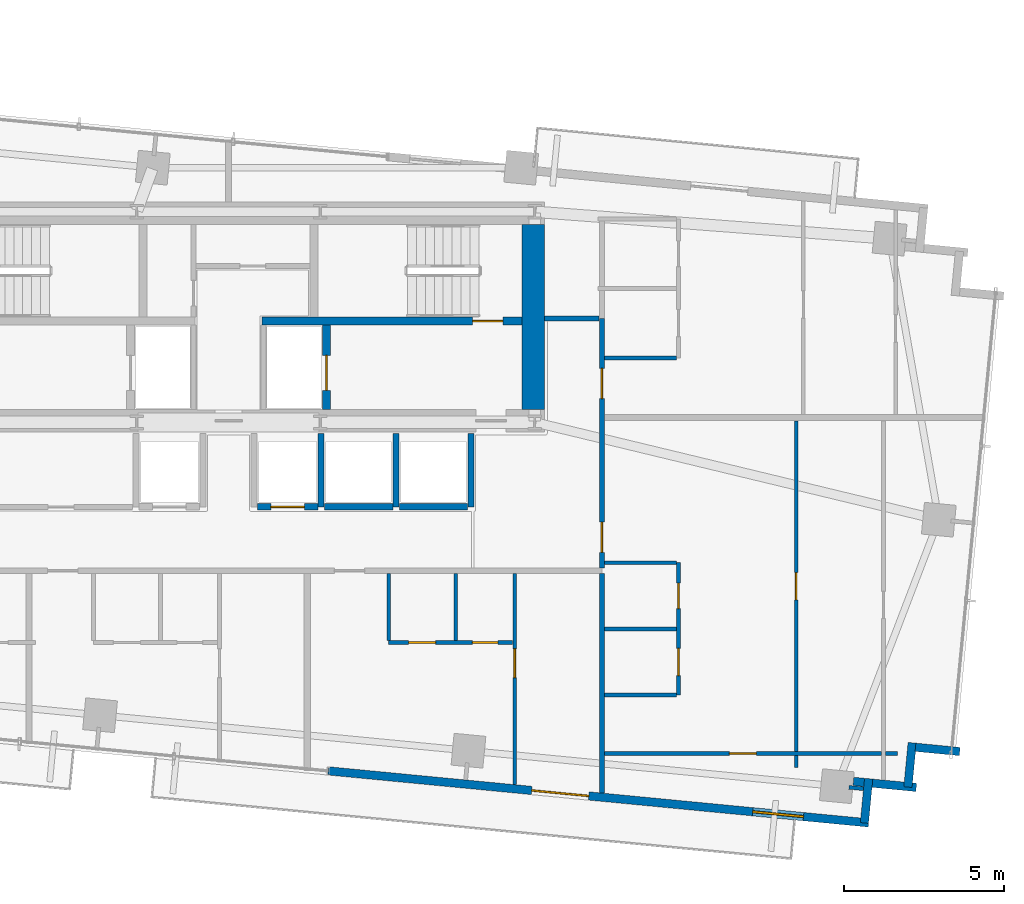
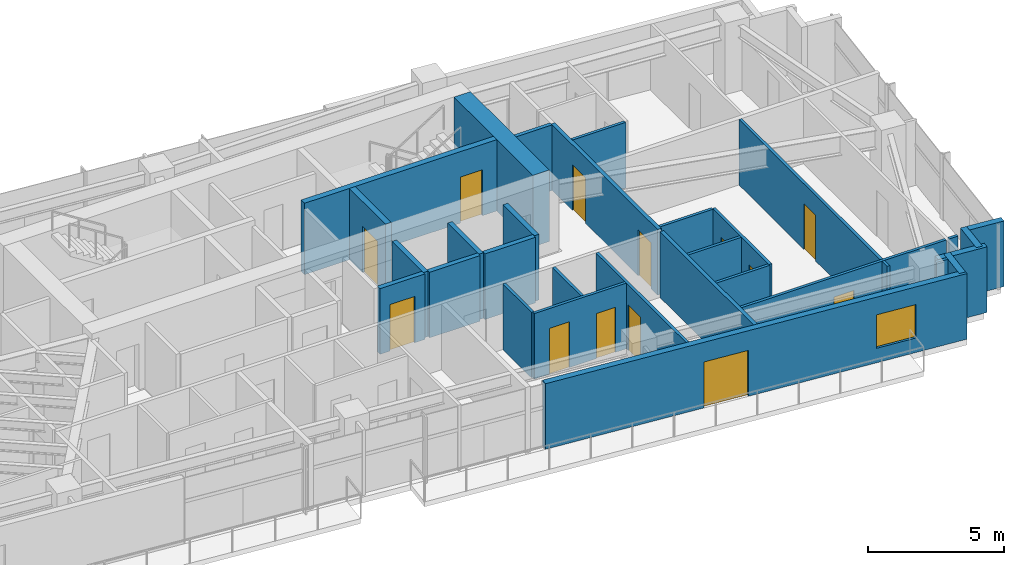
# One storey, part 16 of 19: 31 walls, 13 doors, 1 window, 14 openings.
"""IFC4 building model written with IfcOpenShell, lengths in metres."""

from ifc_helpers import new_model, si_unit, direction, frame, frame_2d, origin, place, context, subcontext, project, spatial, rectangle, extrude, source, transform, mapped, material, layer, layer_set, type_object, type_shapes, element, fill, save


model = new_model("IFC4")

# Units and contexts
model_context = context("Model", 3, precision=1e-05, world=origin(), true_north=direction((0.0, 1.0)))
body_context = subcontext(model_context, "Body", "Model", "MODEL_VIEW")
ifc_project = project(units=[si_unit("LENGTHUNIT", "METRE"), si_unit("AREAUNIT", "SQUARE_METRE"), si_unit("VOLUMEUNIT", "CUBIC_METRE"), si_unit("PLANEANGLEUNIT", "RADIAN"), si_unit("MASSUNIT", "GRAM", prefix="KILO")], contexts=[model_context])

# Site, building, storey
site_placement = place(None, origin())
site = spatial("IfcSite", under=ifc_project, at=site_placement, CompositionType="ELEMENT")
building_placement = place(site_placement, origin())
building = spatial("IfcBuilding", under=site, at=building_placement, Name="Astriad Promenade Condominiums", CompositionType="ELEMENT")
storey_placement = place(building_placement, frame((0.0, 0.0, 143.800048828125)))
storey = spatial("IfcBuildingStorey", under=building, at=storey_placement, Name="L41", CompositionType="ELEMENT", Elevation=143.800048828125)

# Wall
ifc_material_1 = material(Name="Concrete C60/75", Category="concrete")
ifc_layer_1 = layer(ifc_material_1, 0.699951171875)
ifc_layer_set_1 = layer_set([ifc_layer_1], Name="Concrete C60/75")
wall_type_1 = type_object("IfcWallType", Name="CW-SHEAR-700", PredefinedType="SHEAR", material=ifc_layer_set_1)
wall_1_placement = place(storey_placement, frame((45.550048828125, 17.802001953125, 0.0), z_axis=(0.0, 0.0, 1.0), x_axis=(0.0, 1.0, 0.0)))
element("IfcWall", 1, at=wall_1_placement, inside=storey, type_object=wall_type_1, Name="CW-CORE-E-L41", PredefinedType="SHEAR", context=body_context, shape_type="SweptSolid", body=[
    extrude(rectangle(XDim=5.7958984375, YDim=0.699951171875, at=frame_2d((2.89794921875, 0.0))), origin(), (0.0, 0.0, 1.0), 3.199951171875),
])

# Wall, opening, door
ifc_material_2 = material(Name="Concrete C50/60", Category="concrete")
ifc_layer_2 = layer(ifc_material_2, 0.25)
ifc_layer_set_2 = layer_set([ifc_layer_2], Name="Concrete C50/60")
wall_type_2 = type_object("IfcWallType", Name="WALL-CORE-INT-250", PredefinedType="SOLIDWALL", material=ifc_layer_set_2)
wall_2_placement = place(storey_placement, frame((37.050048828125, 20.574951171875, 0.0), z_axis=(0.0, 0.0, 1.0), x_axis=(1.0, 0.0, 0.0)))
wall_2 = element("IfcWall", 2, at=wall_2_placement, inside=storey, type_object=wall_type_2, Name="CW-INT-H2-L41", PredefinedType="SOLIDWALL", context=body_context, shape_type="SweptSolid", body=[
    extrude(rectangle(XDim=8.14794921875, YDim=0.25, at=frame_2d((4.073974609375, 0.0))), origin(), (0.0, 0.0, 1.0), 3.199951171875),
])
opening_1_placement = place(wall_2_placement, frame((6.60009765625, 0.0, 0.0)))
opening_1 = element("IfcOpeningElement", 3, at=opening_1_placement, cuts=wall_2, Name="Opening FD90-ST-095", PredefinedType="OPENING", context=body_context, shape_type="SweptSolid", body=[
    extrude(rectangle(XDim=0.949951171875, YDim=2.06005859375, at=frame_2d((0.47509765625, 1.030029296875))), frame((0.0, 0.135009765625, 0.0), z_axis=(0.0, -1.0, 0.0), x_axis=(1.0, 0.0, 0.0)), (0.0, 0.0, 1.0), 0.27001953125),
])
ifc_material_3 = material(Name="Fire-Rated Hollow Metal Stair Door")
door_type_1 = type_object("IfcDoorType", Name="FD90-ST-095", OperationType="NOTDEFINED", PredefinedType="DOOR", material=ifc_material_3)
shared_shape_1 = source(origin(), body_context, "Body", "SweptSolid", [
    extrude(rectangle(XDim=0.949951171875, YDim=2.06005859375, at=frame_2d((0.47509765625, 1.030029296875))), frame((0.0, 0.02490234375, 0.0), z_axis=(0.0, -1.0, 0.0), x_axis=(1.0, 0.0, 0.0)), (0.0, 0.0, 1.0), 0.050048828125),
])
type_shapes(door_type_1, [shared_shape_1])
door_1_placement = place(opening_1_placement, origin())
door_1 = element("IfcDoor", 4, at=door_1_placement, inside=storey, type_object=door_type_1, Name="D-ST2-L41", OperationType="SINGLE_SWING_LEFT", OverallHeight=2.06005859375, OverallWidth=0.949951171875, PredefinedType="DOOR", context=body_context, shape_type="MappedRepresentation", body=[
    mapped(shared_shape_1, transform((0.0, 0.0, 0.0), scale=1.0)),
])
fill(opening_1, door_1)

wall_3_placement = place(storey_placement, frame((39.074951171875, 17.802001953125, 0.0), z_axis=(0.0, 0.0, 1.0), x_axis=(0.0, 1.0, 0.0)))
wall_3 = element("IfcWall", 5, at=wall_3_placement, inside=storey, type_object=wall_type_2, Name="CW-FFL2-E-L41", PredefinedType="SOLIDWALL", context=body_context, shape_type="SweptSolid", body=[
    extrude(rectangle(XDim=2.64599609375, YDim=0.25, at=frame_2d((1.322998046875, 0.0))), origin(), (0.0, 0.0, 1.0), 3.199951171875),
])
opening_2_placement = place(wall_3_placement, frame((0.597900390625, 0.0, 0.0)))
opening_2 = element("IfcOpeningElement", 6, at=opening_2_placement, cuts=wall_3, Name="Opening LD-FFL-1122", PredefinedType="OPENING", context=body_context, shape_type="SweptSolid", body=[
    extrude(rectangle(XDim=1.10009765625, YDim=2.080078125, at=frame_2d((0.550048828125, 1.0400390625))), frame((0.0, 0.135009765625, 0.0), z_axis=(0.0, -1.0, 0.0), x_axis=(1.0, 0.0, 0.0)), (0.0, 0.0, 1.0), 0.27001953125),
])
ifc_material_4 = material(Name="Brushed Stainless Steel Fire Elevator Landing Door", Category="steel")
door_type_2 = type_object("IfcDoorType", Name="LD-FFL-1122", OperationType="NOTDEFINED", PredefinedType="DOOR", material=ifc_material_4)
shared_shape_2 = source(origin(), body_context, "Body", "SweptSolid", [
    extrude(rectangle(XDim=1.10009765625, YDim=2.080078125, at=frame_2d((0.550048828125, 1.0400390625))), frame((0.0, 0.02490234375, 0.0), z_axis=(0.0, -1.0, 0.0), x_axis=(1.0, 0.0, 0.0)), (0.0, 0.0, 1.0), 0.050048828125),
])
type_shapes(door_type_2, [shared_shape_2])
door_2_placement = place(opening_2_placement, origin())
door_2 = element("IfcDoor", 7, at=door_2_placement, inside=storey, type_object=door_type_2, Name="Elevator Landing Door FFL-2 (L41)", OperationType="SLIDING_TO_RIGHT", OverallHeight=2.080078125, OverallWidth=1.10009765625, PredefinedType="DOOR", context=body_context, shape_type="MappedRepresentation", body=[
    mapped(shared_shape_2, transform((0.0, 0.0, 0.0), scale=1.0)),
])
fill(opening_2, door_2)

# Wall
ifc_material_5 = material(Name="Fire-Rated Gypsum Partition")
ifc_layer_3 = layer(ifc_material_5, 0.159912109375)
ifc_layer_set_3 = layer_set([ifc_layer_3], Name="Fire-Rated Gypsum Partition")
wall_type_3 = type_object("IfcWallType", Name="WALL-CORR-160", PredefinedType="PARTITIONING", material=ifc_layer_set_3)
wall_4_placement = place(storey_placement, frame((47.699951171875, 5.783203125, 0.0), z_axis=(0.0, 0.0, 1.0), x_axis=(0.0, 1.0, 0.0)))
element("IfcWall", 8, at=wall_4_placement, inside=storey, type_object=wall_type_3, Name="PT-COR-E-L41", PredefinedType="PARTITIONING", context=body_context, shape_type="SweptSolid", body=[
    extrude(rectangle(XDim=6.884765625, YDim=0.159912109375, at=frame_2d((3.4423828125, 0.0))), origin(), (0.0, 0.0, 1.0), 2.93994140625),
])

# Wall, openings, doors
wall_5_placement = place(storey_placement, frame((47.699951171875, 12.83203125, 0.0), z_axis=(0.0, 0.0, 1.0), x_axis=(0.0, 1.0, 0.0)))
wall_5 = element("IfcWall", 9, at=wall_5_placement, inside=storey, type_object=wall_type_3, Name="PT-COR-E-L41-S2", PredefinedType="PARTITIONING", context=body_context, shape_type="SweptSolid", body=[
    extrude(rectangle(XDim=7.81787109375, YDim=0.159912109375, at=frame_2d((3.908935546875, 0.0))), origin(), (0.0, 0.0, 1.0), 2.93994140625),
])
opening_3_placement = place(wall_5_placement, frame((0.492919921875, 0.0, 0.0)))
opening_3 = element("IfcOpeningElement", 10, at=opening_3_placement, cuts=wall_5, Name="Opening FD60-APT-095", PredefinedType="OPENING", context=body_context, shape_type="SweptSolid", body=[
    extrude(rectangle(XDim=0.949951171875, YDim=2.06005859375, at=frame_2d((0.47509765625, 1.030029296875))), frame((0.0, 0.08984375, 0.0), z_axis=(0.0, -1.0, 0.0), x_axis=(1.0, 0.0, 0.0)), (0.0, 0.0, 1.0), 0.179931640625),
])
opening_4_placement = place(wall_5_placement, frame((5.31298828125, 0.0, 0.0)))
opening_4 = element("IfcOpeningElement", 11, at=opening_4_placement, cuts=wall_5, Name="Opening FD60-APT-095", PredefinedType="OPENING", context=body_context, shape_type="SweptSolid", body=[
    extrude(rectangle(XDim=0.949951171875, YDim=2.06005859375, at=frame_2d((0.47509765625, 1.030029296875))), frame((0.0, 0.08984375, 0.0), z_axis=(0.0, -1.0, 0.0), x_axis=(1.0, 0.0, 0.0)), (0.0, 0.0, 1.0), 0.179931640625),
])
ifc_material_6 = material(Name="Solid-Core Acoustic Timber Residence Entry Door", Category="wood")
door_type_3 = type_object("IfcDoorType", Name="FD60-APT-095", OperationType="NOTDEFINED", PredefinedType="DOOR", material=ifc_material_6)
shared_shape_3 = source(origin(), body_context, "Body", "SweptSolid", [
    extrude(rectangle(XDim=0.949951171875, YDim=2.06005859375, at=frame_2d((0.47509765625, 1.030029296875))), frame((0.0, 0.02490234375, 0.0), z_axis=(0.0, -1.0, 0.0), x_axis=(1.0, 0.0, 0.0)), (0.0, 0.0, 1.0), 0.050048828125),
])
type_shapes(door_type_3, [shared_shape_3])
door_3_placement = place(opening_3_placement, origin())
door_3 = element("IfcDoor", 12, at=door_3_placement, inside=storey, type_object=door_type_3, Name="D-ENT-L41-E1", OperationType="SINGLE_SWING_LEFT", OverallHeight=2.06005859375, OverallWidth=0.949951171875, PredefinedType="DOOR", context=body_context, shape_type="MappedRepresentation", body=[
    mapped(shared_shape_3, transform((0.0, 0.0, 0.0), scale=1.0)),
])
fill(opening_3, door_3)
door_4_placement = place(opening_4_placement, origin())
door_4 = element("IfcDoor", 13, at=door_4_placement, inside=storey, type_object=door_type_3, Name="D-ENT-L41-E2", OperationType="SINGLE_SWING_LEFT", OverallHeight=2.06005859375, OverallWidth=0.949951171875, PredefinedType="DOOR", context=body_context, shape_type="MappedRepresentation", body=[
    mapped(shared_shape_3, transform((0.0, 0.0, 0.0), scale=1.0)),
])
fill(opening_4, door_4)

# Walls
wall_6_placement = place(storey_placement, frame((45.902099609375, 20.64990234375, 0.0), z_axis=(0.0, 0.0, 1.0), x_axis=(1.0, 0.0, 0.0)))
element("IfcWall", 14, at=wall_6_placement, inside=storey, type_object=wall_type_3, Name="PT-Z3E-N-L41", PredefinedType="PARTITIONING", context=body_context, shape_type="SweptSolid", body=[
    extrude(rectangle(XDim=1.7158203125, YDim=0.159912109375, at=frame_2d((0.85791015625, 0.0))), origin(), (0.0, 0.0, 1.0), 2.93994140625),
])
ifc_material_7 = material(Name="Precast concrete C50/60", Category="concrete")
ifc_layer_4 = layer(ifc_material_7, 0.260009765625)
ifc_layer_set_4 = layer_set([ifc_layer_4], Name="Precast concrete C50/60")
wall_type_4 = type_object("IfcWallType", Name="WALL-EXT-TWR-260", PredefinedType="STANDARD", material=ifc_layer_set_4)
for number, where, z_axis, x_axis, name in (
    (15, (58.918701171875, 7.081787109375, 0.0), (0.0, 0.0, 1.0), (-0.995389446633, 0.095915846097, 0.0), "W-SER-L41-14"),
    (16, (57.42822265625, 7.35595703125, 0.0), (0.0, 0.0, 1.0), (-0.095915846097, -0.995389446633, 0.0), "W-SER-L41-15"),
):
    element("IfcWall", number, at=place(storey_placement, frame(where, z_axis=z_axis, x_axis=x_axis)), inside=storey, type_object=wall_type_4, Name=name, PredefinedType="STANDARD", context=body_context, shape_type="SweptSolid", body=[
        extrude(rectangle(XDim=1.394775390625, YDim=0.260009765625, at=frame_2d((0.697265625, 0.0))), origin(), (0.0, 0.0, 1.0), 2.93994140625),
    ])
wall_7_placement = place(storey_placement, frame((57.5546875, 5.95751953125, 0.0), z_axis=(0.0, 0.0, 1.0), x_axis=(-0.995401789159, 0.095787672171, 0.0)))
element("IfcWall", 17, at=wall_7_placement, inside=storey, type_object=wall_type_4, Name="W-SER-L41-16", PredefinedType="STANDARD", context=body_context, shape_type="SweptSolid", body=[
    extrude(rectangle(XDim=1.977783203125, YDim=0.260009765625, at=frame_2d((0.98876953125, 0.0))), origin(), (0.0, 0.0, 1.0), 2.93994140625),
])
wall_8_placement = place(storey_placement, frame((56.064208984375, 6.231689453125, 0.0), z_axis=(0.0, 0.0, 1.0), x_axis=(-0.09589913835, -0.995391056452, 0.0)))
element("IfcWall", 18, at=wall_8_placement, inside=storey, type_object=wall_type_4, Name="W-SER-L41-17", PredefinedType="STANDARD", context=body_context, shape_type="SweptSolid", body=[
    extrude(rectangle(XDim=1.39501953125, YDim=0.260009765625, at=frame_2d((0.697509765625, 0.0))), origin(), (0.0, 0.0, 1.0), 2.93994140625),
])

# Wall, openings, door, window
wall_9_placement = place(storey_placement, frame((56.061279296875, 4.845458984375, 0.0), z_axis=(0.0, 0.0, 1.0), x_axis=(-0.995395976631, 0.095848055311, 0.0)))
wall_9 = element("IfcWall", 19, at=wall_9_placement, inside=storey, type_object=wall_type_4, Name="W-EXT-L41-S1", PredefinedType="STANDARD", context=body_context, shape_type="SweptSolid", body=[
    extrude(rectangle(XDim=17.010009765625, YDim=0.260009765625, at=frame_2d((8.5048828125, 0.0))), origin(), (0.0, 0.0, 1.0), 2.93994140625),
])
opening_5_placement = place(wall_9_placement, frame((8.81103515625, 0.0, 0.0)))
opening_5 = element("IfcOpeningElement", 20, at=opening_5_placement, cuts=wall_9, Name="Opening BD-1822-SLD", PredefinedType="OPENING", context=body_context, shape_type="SweptSolid", body=[
    extrude(rectangle(XDim=1.800048828125, YDim=2.06005859375, at=frame_2d((0.89990234375, 1.030029296875))), frame((0.0, 0.139892578125, 0.0), z_axis=(0.0, -1.0, 0.0), x_axis=(1.0, 0.0, 0.0)), (0.0, 0.0, 1.0), 0.280029296875),
])
opening_6_placement = place(wall_9_placement, frame((2.050048828125, 0.0, 0.64990234375)))
opening_6 = element("IfcOpeningElement", 21, at=opening_6_placement, cuts=wall_9, Name="Opening WIN-TWR-1620", PredefinedType="OPENING", context=body_context, shape_type="SweptSolid", body=[
    extrude(rectangle(XDim=1.60009765625, YDim=1.5, at=frame_2d((0.800048828125, 0.75))), frame((0.0, 0.139892578125, 0.0), z_axis=(0.0, -1.0, 0.0), x_axis=(1.0, 0.0, 0.0)), (0.0, 0.0, 1.0), 0.280029296875),
])
ifc_material_8 = material(Name="Thermally Broken Aluminium Sliding Balcony Door", Category="aluminium")
door_type_4 = type_object("IfcDoorType", Name="BD-1822-SLD", OperationType="NOTDEFINED", PredefinedType="DOOR", material=ifc_material_8)
shared_shape_4 = source(origin(), body_context, "Body", "SweptSolid", [
    extrude(rectangle(XDim=1.800048828125, YDim=2.06005859375, at=frame_2d((0.89990234375, 1.030029296875))), frame((0.0, 0.02490234375, 0.0), z_axis=(0.0, -1.0, 0.0), x_axis=(1.0, 0.0, 0.0)), (0.0, 0.0, 1.0), 0.050048828125),
])
type_shapes(door_type_4, [shared_shape_4])
door_5_placement = place(opening_5_placement, origin())
door_5 = element("IfcDoor", 22, at=door_5_placement, inside=storey, type_object=door_type_4, Name="BD-L41-SE", OperationType="SLIDING_TO_RIGHT", OverallHeight=2.06005859375, OverallWidth=1.800048828125, PredefinedType="DOOR", context=body_context, shape_type="MappedRepresentation", body=[
    mapped(shared_shape_4, transform((0.0, 0.0, 0.0), scale=1.0)),
])
fill(opening_5, door_5)
ifc_material_9 = material(Name="Dark Tinted Triple-Glazed Aluminium Window", Category="aluminium")
window_type = type_object("IfcWindowType", Name="WIN-TWR-1620", PartitioningType="SINGLE_PANEL", PredefinedType="WINDOW", material=ifc_material_9)
shared_shape_5 = source(origin(), body_context, "Body", "SweptSolid", [
    extrude(rectangle(XDim=1.60009765625, YDim=1.5, at=frame_2d((0.800048828125, 0.75))), frame((0.0, 0.030029296875, 0.0), z_axis=(0.0, -1.0, 0.0), x_axis=(1.0, 0.0, 0.0)), (0.0, 0.0, 1.0), 0.06005859375),
])
type_shapes(window_type, [shared_shape_5])
window_placement = place(opening_6_placement, origin())
window = element("IfcWindow", 23, at=window_placement, inside=storey, type_object=window_type, Name="WIN-L41-SE", OverallHeight=1.5, OverallWidth=1.60009765625, PartitioningType="SINGLE_PANEL", PredefinedType="WINDOW", context=body_context, shape_type="MappedRepresentation", body=[
    mapped(shared_shape_5, transform((0.0, 0.0, 0.0), scale=1.0)),
])
fill(opening_6, window)

# Wall, opening, door
ifc_material_10 = material(Name="Acoustic Metal-Stud Gypsum Partition")
ifc_layer_5 = layer(ifc_material_10, 0.1201171875)
ifc_layer_set_5 = layer_set([ifc_layer_5], Name="Acoustic Metal-Stud Gypsum Partition")
wall_type_5 = type_object("IfcWallType", Name="WALL-PART-120", PredefinedType="PARTITIONING", material=ifc_layer_set_5)
wall_10_placement = place(storey_placement, frame((44.969970703125, 6.046142578125, 0.0), z_axis=(0.0, 0.0, 1.0), x_axis=(0.0, 1.0, 0.0)))
wall_10 = element("IfcWall", 24, at=wall_10_placement, inside=storey, type_object=wall_type_5, Name="PT-L41-S3-BD1", PredefinedType="PARTITIONING", context=body_context, shape_type="SweptSolid", body=[
    extrude(rectangle(XDim=6.621826171875, YDim=0.1201171875, at=frame_2d((3.31103515625, 0.0))), origin(), (0.0, 0.0, 1.0), 2.93994140625),
])
opening_7_placement = place(wall_10_placement, frame((3.35400390625, 0.0, 0.0)))
opening_7 = element("IfcOpeningElement", 25, at=opening_7_placement, cuts=wall_10, Name="Opening D-INT-090", PredefinedType="OPENING", context=body_context, shape_type="SweptSolid", body=[
    extrude(rectangle(XDim=0.89990234375, YDim=2.050048828125, at=frame_2d((0.449951171875, 1.02490234375))), frame((0.0, 0.070068359375, 0.0), z_axis=(0.0, -1.0, 0.0), x_axis=(1.0, 0.0, 0.0)), (0.0, 0.0, 1.0), 0.14013671875),
])
ifc_material_11 = material(Name="Painted Solid-Core Timber Bedroom Door", Category="wood")
door_type_5 = type_object("IfcDoorType", Name="D-INT-090", OperationType="NOTDEFINED", PredefinedType="DOOR", material=ifc_material_11)
shared_shape_6 = source(origin(), body_context, "Body", "SweptSolid", [
    extrude(rectangle(XDim=0.89990234375, YDim=2.050048828125, at=frame_2d((0.449951171875, 1.02490234375))), frame((0.0, 0.02490234375, 0.0), z_axis=(0.0, -1.0, 0.0), x_axis=(1.0, 0.0, 0.0)), (0.0, 0.0, 1.0), 0.050048828125),
])
type_shapes(door_type_5, [shared_shape_6])
door_6_placement = place(opening_7_placement, origin())
door_6 = element("IfcDoor", 26, at=door_6_placement, inside=storey, type_object=door_type_5, Name="D-BD1-L41-S3", OperationType="SINGLE_SWING_LEFT", OverallHeight=2.050048828125, OverallWidth=0.89990234375, PredefinedType="DOOR", context=body_context, shape_type="MappedRepresentation", body=[
    mapped(shared_shape_6, transform((0.0, 0.0, 0.0), scale=1.0)),
])
fill(opening_7, door_6)

# Wall, openings, doors
wall_11_placement = place(storey_placement, frame((41.02001953125, 10.5, 0.0), z_axis=(0.0, 0.0, 1.0), x_axis=(1.0, 0.0, 0.0)))
wall_11 = element("IfcWall", 27, at=wall_11_placement, inside=storey, type_object=wall_type_5, Name="PT-L41-S3-PS", PredefinedType="PARTITIONING", context=body_context, shape_type="SweptSolid", body=[
    extrude(rectangle(XDim=3.887939453125, YDim=0.1201171875, at=frame_2d((1.94384765625, 0.0))), origin(), (0.0, 0.0, 1.0), 2.93994140625),
])
opening_8_placement = place(wall_11_placement, frame((0.625, 0.0, 0.0)))
opening_8 = element("IfcOpeningElement", 28, at=opening_8_placement, cuts=wall_11, Name="Opening D-INT-085", PredefinedType="OPENING", context=body_context, shape_type="SweptSolid", body=[
    extrude(rectangle(XDim=0.85009765625, YDim=2.050048828125, at=frame_2d((0.425048828125, 1.02490234375))), frame((0.0, 0.070068359375, 0.0), z_axis=(0.0, -1.0, 0.0), x_axis=(1.0, 0.0, 0.0)), (0.0, 0.0, 1.0), 0.14013671875),
])
opening_9_placement = place(wall_11_placement, frame((2.625, 0.0, 0.0)))
opening_9 = element("IfcOpeningElement", 29, at=opening_9_placement, cuts=wall_11, Name="Opening D-WET-080", PredefinedType="OPENING", context=body_context, shape_type="SweptSolid", body=[
    extrude(rectangle(XDim=0.800048828125, YDim=2.02001953125, at=frame_2d((0.39990234375, 1.010009765625))), frame((0.0, 0.070068359375, 0.0), z_axis=(0.0, -1.0, 0.0), x_axis=(1.0, 0.0, 0.0)), (0.0, 0.0, 1.0), 0.14013671875),
])
ifc_material_12 = material(Name="Moisture-Resistant Timber Bathroom Door", Category="wood")
door_type_6 = type_object("IfcDoorType", Name="D-WET-080", OperationType="NOTDEFINED", PredefinedType="DOOR", material=ifc_material_12)
shared_shape_7 = source(origin(), body_context, "Body", "SweptSolid", [
    extrude(rectangle(XDim=0.800048828125, YDim=2.02001953125, at=frame_2d((0.39990234375, 1.010009765625))), frame((0.0, 0.02490234375, 0.0), z_axis=(0.0, -1.0, 0.0), x_axis=(1.0, 0.0, 0.0)), (0.0, 0.0, 1.0), 0.050048828125),
])
type_shapes(door_type_6, [shared_shape_7])
door_7_placement = place(opening_9_placement, origin())
door_7 = element("IfcDoor", 30, at=door_7_placement, inside=storey, type_object=door_type_6, Name="D-BTH-L41-S3", OperationType="SINGLE_SWING_LEFT", OverallHeight=2.02001953125, OverallWidth=0.800048828125, PredefinedType="DOOR", context=body_context, shape_type="MappedRepresentation", body=[
    mapped(shared_shape_7, transform((0.0, 0.0, 0.0), scale=1.0)),
])
fill(opening_9, door_7)
ifc_material_13 = material(Name="Painted Solid-Core Timber Room Door", Category="wood")
door_type_7 = type_object("IfcDoorType", Name="D-INT-085", OperationType="NOTDEFINED", PredefinedType="DOOR", material=ifc_material_13)
shared_shape_8 = source(origin(), body_context, "Body", "SweptSolid", [
    extrude(rectangle(XDim=0.85009765625, YDim=2.050048828125, at=frame_2d((0.425048828125, 1.02490234375))), frame((0.0, 0.02490234375, 0.0), z_axis=(0.0, -1.0, 0.0), x_axis=(1.0, 0.0, 0.0)), (0.0, 0.0, 1.0), 0.050048828125),
])
type_shapes(door_type_7, [shared_shape_8])
door_8_placement = place(opening_8_placement, origin())
door_8 = element("IfcDoor", 31, at=door_8_placement, inside=storey, type_object=door_type_7, Name="D-KIT-L41-S3", OperationType="SINGLE_SWING_RIGHT", OverallHeight=2.050048828125, OverallWidth=0.85009765625, PredefinedType="DOOR", context=body_context, shape_type="MappedRepresentation", body=[
    mapped(shared_shape_8, transform((0.0, 0.0, 0.0), scale=1.0)),
])
fill(opening_8, door_8)

# Walls
for number, where, z_axis, x_axis, name in (
    (32, (43.1201171875, 10.56201171875, 0.0), (0.0, 0.0, 1.0), (0.0, 1.0, 0.0), "PT-L41-S3-PBK"),
    (33, (41.02001953125, 10.56201171875, 0.0), (0.0, 0.0, 1.0), (0.0, 1.0, 0.0), "PT-L41-S3-PKW"),
):
    element("IfcWall", number, at=place(storey_placement, frame(where, z_axis=z_axis, x_axis=x_axis)), inside=storey, type_object=wall_type_5, Name=name, PredefinedType="PARTITIONING", context=body_context, shape_type="SweptSolid", body=[
        extrude(rectangle(XDim=2.10595703125, YDim=0.1201171875, at=frame_2d((1.052978515625, 0.0))), origin(), (0.0, 0.0, 1.0), 2.93994140625),
    ])

# Wall, openings, doors
wall_12_placement = place(storey_placement, frame((50.10009765625, 8.85009765625, 0.0), z_axis=(0.0, 0.0, 1.0), x_axis=(0.0, 1.0, 0.0)))
wall_12 = element("IfcWall", 34, at=wall_12_placement, inside=storey, type_object=wall_type_5, Name="PT-L41-E1-PV", PredefinedType="PARTITIONING", context=body_context, shape_type="SweptSolid", body=[
    extrude(rectangle(XDim=4.14990234375, YDim=0.1201171875, at=frame_2d((2.074951171875, 0.0))), origin(), (0.0, 0.0, 1.0), 2.93994140625),
])
opening_10_placement = place(wall_12_placement, frame((0.612060546875, 0.0, 0.0)))
opening_10 = element("IfcOpeningElement", 35, at=opening_10_placement, cuts=wall_12, Name="Opening D-INT-085", PredefinedType="OPENING", context=body_context, shape_type="SweptSolid", body=[
    extrude(rectangle(XDim=0.85009765625, YDim=2.050048828125, at=frame_2d((0.425048828125, 1.02490234375))), frame((0.0, 0.070068359375, 0.0), z_axis=(0.0, -1.0, 0.0), x_axis=(1.0, 0.0, 0.0)), (0.0, 0.0, 1.0), 0.14013671875),
])
opening_11_placement = place(wall_12_placement, frame((2.712890625, 0.0, 0.0)))
opening_11 = element("IfcOpeningElement", 36, at=opening_11_placement, cuts=wall_12, Name="Opening D-WET-080", PredefinedType="OPENING", context=body_context, shape_type="SweptSolid", body=[
    extrude(rectangle(XDim=0.800048828125, YDim=2.02001953125, at=frame_2d((0.39990234375, 1.010009765625))), frame((0.0, 0.070068359375, 0.0), z_axis=(0.0, -1.0, 0.0), x_axis=(1.0, 0.0, 0.0)), (0.0, 0.0, 1.0), 0.14013671875),
])
door_9_placement = place(opening_11_placement, origin())
door_9 = element("IfcDoor", 37, at=door_9_placement, inside=storey, type_object=door_type_6, Name="D-BTH-L41-E1", OperationType="SINGLE_SWING_LEFT", OverallHeight=2.02001953125, OverallWidth=0.800048828125, PredefinedType="DOOR", context=body_context, shape_type="MappedRepresentation", body=[
    mapped(shared_shape_7, transform((0.0, 0.0, 0.0), scale=1.0)),
])
fill(opening_11, door_9)
door_10_placement = place(opening_10_placement, origin())
door_10 = element("IfcDoor", 38, at=door_10_placement, inside=storey, type_object=door_type_7, Name="D-KIT-L41-E1", OperationType="SINGLE_SWING_RIGHT", OverallHeight=2.050048828125, OverallWidth=0.85009765625, PredefinedType="DOOR", context=body_context, shape_type="MappedRepresentation", body=[
    mapped(shared_shape_8, transform((0.0, 0.0, 0.0), scale=1.0)),
])
fill(opening_10, door_10)

# Walls
for number, where, z_axis, x_axis, name in (
    (39, (47.781982421875, 10.925048828125, 0.0), (0.0, 0.0, 1.0), (1.0, 0.0, 0.0), "PT-L41-E1-PM"),
    (40, (47.781982421875, 8.85009765625, 0.0), (0.0, 0.0, 1.0), (1.0, 0.0, 0.0), "PT-L41-E1-PS"),
    (41, (47.781982421875, 13.0, 0.0), (0.0, 0.0, 1.0), (1.0, 0.0, 0.0), "PT-L41-E1-PN"),
):
    element("IfcWall", number, at=place(storey_placement, frame(where, z_axis=z_axis, x_axis=x_axis)), inside=storey, type_object=wall_type_5, Name=name, PredefinedType="PARTITIONING", context=body_context, shape_type="SweptSolid", body=[
        extrude(rectangle(XDim=2.256103515625, YDim=0.1201171875, at=frame_2d((1.1279296875, 0.0))), origin(), (0.0, 0.0, 1.0), 2.93994140625),
    ])

# Wall, opening, door
wall_13_placement = place(storey_placement, frame((47.781982421875, 7.01904296875, 0.0), z_axis=(0.0, 0.0, 1.0), x_axis=(1.0, 0.0, 0.0)))
wall_13 = element("IfcWall", 42, at=wall_13_placement, inside=storey, type_object=wall_type_5, Name="PT-L41-E1-WDS1", PredefinedType="PARTITIONING", context=body_context, shape_type="SweptSolid", body=[
    extrude(rectangle(XDim=8.68212890625, YDim=0.1201171875, at=frame_2d((4.341064453125, 0.0))), origin(), (0.0, 0.0, 1.0), 2.93994140625),
])
opening_12_placement = place(wall_13_placement, frame((3.916015625, 0.0, 0.0)))
opening_12 = element("IfcOpeningElement", 43, at=opening_12_placement, cuts=wall_13, Name="Opening D-INT-085", PredefinedType="OPENING", context=body_context, shape_type="SweptSolid", body=[
    extrude(rectangle(XDim=0.85009765625, YDim=2.050048828125, at=frame_2d((0.425048828125, 1.02490234375))), frame((0.0, 0.070068359375, 0.0), z_axis=(0.0, -1.0, 0.0), x_axis=(1.0, 0.0, 0.0)), (0.0, 0.0, 1.0), 0.14013671875),
])
door_11_placement = place(opening_12_placement, origin())
door_11 = element("IfcDoor", 44, at=door_11_placement, inside=storey, type_object=door_type_7, Name="D-WDS1-L41-E1", OperationType="SINGLE_SWING_LEFT", OverallHeight=2.050048828125, OverallWidth=0.85009765625, PredefinedType="DOOR", context=body_context, shape_type="MappedRepresentation", body=[
    mapped(shared_shape_8, transform((0.0, 0.0, 0.0), scale=1.0)),
])
fill(opening_12, door_11)

# Walls
wall_14_placement = place(storey_placement, frame((56.587890625, 7.01904296875, 0.0), z_axis=(0.0, 0.0, 1.0), x_axis=(1.0, 0.0, 0.0)))
element("IfcWall", 45, at=wall_14_placement, inside=storey, type_object=wall_type_5, Name="PT-L41-E1-WDS1-S2", PredefinedType="PARTITIONING", context=body_context, shape_type="SweptSolid", body=[
    extrude(rectangle(XDim=0.378173828125, YDim=0.1201171875, at=frame_2d((0.18896484375, 0.0))), origin(), (0.0, 0.0, 1.0), 2.93994140625),
])
wall_15_placement = place(storey_placement, frame((53.7919921875, 6.5791015625, 0.0), z_axis=(0.0, 0.0, 1.0), x_axis=(0.0, 1.0, 0.0)))
element("IfcWall", 46, at=wall_15_placement, inside=storey, type_object=wall_type_5, Name="PT-L41-E1-WDV2", PredefinedType="PARTITIONING", context=body_context, shape_type="SweptSolid", body=[
    extrude(rectangle(XDim=0.3779296875, YDim=0.1201171875, at=frame_2d((0.18896484375, 0.0))), origin(), (0.0, 0.0, 1.0), 2.93994140625),
])

# Wall, opening, door
wall_16_placement = place(storey_placement, frame((53.7919921875, 7.0810546875, 0.0), z_axis=(0.0, 0.0, 1.0), x_axis=(0.0, 1.0, 0.0)))
wall_16 = element("IfcWall", 47, at=wall_16_placement, inside=storey, type_object=wall_type_5, Name="PT-L41-E1-WDV2-S2", PredefinedType="PARTITIONING", context=body_context, shape_type="SweptSolid", body=[
    extrude(rectangle(XDim=10.366943359375, YDim=0.1201171875, at=frame_2d((5.18359375, 0.0))), origin(), (0.0, 0.0, 1.0), 2.93994140625),
])
opening_13_placement = place(wall_16_placement, frame((4.758056640625, 0.0, 0.0)))
opening_13 = element("IfcOpeningElement", 48, at=opening_13_placement, cuts=wall_16, Name="Opening D-INT-085", PredefinedType="OPENING", context=body_context, shape_type="SweptSolid", body=[
    extrude(rectangle(XDim=0.85009765625, YDim=2.050048828125, at=frame_2d((0.425048828125, 1.02490234375))), frame((0.0, 0.070068359375, 0.0), z_axis=(0.0, -1.0, 0.0), x_axis=(1.0, 0.0, 0.0)), (0.0, 0.0, 1.0), 0.14013671875),
])
door_12_placement = place(opening_13_placement, origin())
door_12 = element("IfcDoor", 49, at=door_12_placement, inside=storey, type_object=door_type_7, Name="D-WDV2-L41-E1", OperationType="SINGLE_SWING_RIGHT", OverallHeight=2.050048828125, OverallWidth=0.85009765625, PredefinedType="DOOR", context=body_context, shape_type="MappedRepresentation", body=[
    mapped(shared_shape_8, transform((0.0, 0.0, 0.0), scale=1.0)),
])
fill(opening_13, door_12)

# Walls
wall_17_placement = place(storey_placement, frame((47.781982421875, 19.419921875, 0.0), z_axis=(0.0, 0.0, 1.0), x_axis=(1.0, 0.0, 0.0)))
element("IfcWall", 50, at=wall_17_placement, inside=storey, type_object=wall_type_5, Name="PT-L41-E2-PS", PredefinedType="PARTITIONING", context=body_context, shape_type="SweptSolid", body=[
    extrude(rectangle(XDim=2.256103515625, YDim=0.1201171875, at=frame_2d((1.1279296875, 0.0))), origin(), (0.0, 0.0, 1.0), 2.93994140625),
])
wall_18_placement = place(storey_placement, frame((55.4453125, 5.959716796875, 0.0), z_axis=(0.0, 0.0, 1.0), x_axis=(0.995384576284, -0.09596637586, 0.0)))
element("IfcWall", 51, at=wall_18_placement, inside=storey, type_object=wall_type_5, Name="PT-PIL-L41-PC05-12", PredefinedType="PARTITIONING", context=body_context, shape_type="SweptSolid", body=[
    extrude(rectangle(XDim=0.4580078125, YDim=0.1201171875, at=frame_2d((0.22900390625, 0.0))), origin(), (0.0, 0.0, 1.0), 2.93994140625),
])
ifc_material_14 = material(Name="Gypsum Shaftliner Assembly")
ifc_layer_6 = layer(ifc_material_14, 0.199951171875)
ifc_layer_set_6 = layer_set([ifc_layer_6], Name="Gypsum Shaftliner Assembly")
wall_type_6 = type_object("IfcWallType", Name="WALL-SHAFT-200", PredefinedType="PARTITIONING", material=ifc_layer_set_6)
wall_19_placement = place(storey_placement, frame((38.89990234375, 14.75, 0.0), z_axis=(0.0, 0.0, 1.0), x_axis=(0.0, 1.0, 0.0)))
element("IfcWall", 52, at=wall_19_placement, inside=storey, type_object=wall_type_6, Name="PL-MH-DIV-L41", PredefinedType="PARTITIONING", context=body_context, shape_type="SweptSolid", body=[
    extrude(rectangle(XDim=2.300048828125, YDim=0.199951171875, at=frame_2d((1.14990234375, 0.0))), origin(), (0.0, 0.0, 1.0), 2.93994140625),
])

# Wall, opening, door
wall_20_placement = place(storey_placement, frame((36.902099609375, 14.75, 0.0), z_axis=(0.0, 0.0, 1.0), x_axis=(1.0, 0.0, 0.0)))
wall_20 = element("IfcWall", 53, at=wall_20_placement, inside=storey, type_object=wall_type_6, Name="PL-M2-F-L41", PredefinedType="PARTITIONING", context=body_context, shape_type="SweptSolid", body=[
    extrude(rectangle(XDim=1.89599609375, YDim=0.199951171875, at=frame_2d((0.947998046875, 0.0))), origin(), (0.0, 0.0, 1.0), 2.93994140625),
])
opening_14_placement = place(wall_20_placement, frame((0.423095703125, 0.0, 0.0)))
opening_14 = element("IfcOpeningElement", 54, at=opening_14_placement, cuts=wall_20, Name="Opening LD-PL-10522", PredefinedType="OPENING", context=body_context, shape_type="SweptSolid", body=[
    extrude(rectangle(XDim=1.050048828125, YDim=2.080078125, at=frame_2d((0.52490234375, 1.0400390625))), frame((0.0, 0.10986328125, 0.0), z_axis=(0.0, -1.0, 0.0), x_axis=(1.0, 0.0, 0.0)), (0.0, 0.0, 1.0), 0.219970703125),
])
ifc_material_15 = material(Name="Brushed Bronze Passenger Elevator Landing Door")
door_type_8 = type_object("IfcDoorType", Name="LD-PL-10522", OperationType="NOTDEFINED", PredefinedType="DOOR", material=ifc_material_15)
shared_shape_9 = source(origin(), body_context, "Body", "SweptSolid", [
    extrude(rectangle(XDim=1.050048828125, YDim=2.080078125, at=frame_2d((0.52490234375, 1.0400390625))), frame((0.0, 0.02490234375, 0.0), z_axis=(0.0, -1.0, 0.0), x_axis=(1.0, 0.0, 0.0)), (0.0, 0.0, 1.0), 0.050048828125),
])
type_shapes(door_type_8, [shared_shape_9])
door_13_placement = place(opening_14_placement, origin())
door_13 = element("IfcDoor", 55, at=door_13_placement, inside=storey, type_object=door_type_8, Name="Elevator Landing Door PL-M2 (L41)", OperationType="SLIDING_TO_RIGHT", OverallHeight=2.080078125, OverallWidth=1.050048828125, PredefinedType="DOOR", context=body_context, shape_type="MappedRepresentation", body=[
    mapped(shared_shape_9, transform((0.0, 0.0, 0.0), scale=1.0)),
])
fill(opening_14, door_13)

# Walls
for number, where, z_axis, x_axis, name in (
    (56, (41.25, 14.75, 0.0), (0.0, 0.0, 1.0), (0.0, 1.0, 0.0), "PL-H-DIV-L41"),
    (57, (43.60009765625, 14.75, 0.0), (0.0, 0.0, 1.0), (0.0, 1.0, 0.0), "PL-E-OUT-L41"),
):
    element("IfcWall", number, at=place(storey_placement, frame(where, z_axis=z_axis, x_axis=x_axis)), inside=storey, type_object=wall_type_6, Name=name, PredefinedType="PARTITIONING", context=body_context, shape_type="SweptSolid", body=[
        extrude(rectangle(XDim=2.300048828125, YDim=0.199951171875, at=frame_2d((1.14990234375, 0.0))), origin(), (0.0, 0.0, 1.0), 2.93994140625),
    ])
for number, where, z_axis, x_axis, name in (
    (58, (39.001953125, 14.75, 0.0), (0.0, 0.0, 1.0), (1.0, 0.0, 0.0), "PL-H-FRT-L41"),
    (59, (41.35205078125, 14.75, 0.0), (0.0, 0.0, 1.0), (1.0, 0.0, 0.0), "PL-H-FRT-L41-S2"),
):
    element("IfcWall", number, at=place(storey_placement, frame(where, z_axis=z_axis, x_axis=x_axis)), inside=storey, type_object=wall_type_6, Name=name, PredefinedType="PARTITIONING", context=body_context, shape_type="SweptSolid", body=[
        extrude(rectangle(XDim=2.14599609375, YDim=0.199951171875, at=frame_2d((1.072998046875, 0.0))), origin(), (0.0, 0.0, 1.0), 2.93994140625),
    ])

save(model, "model.ifc")
